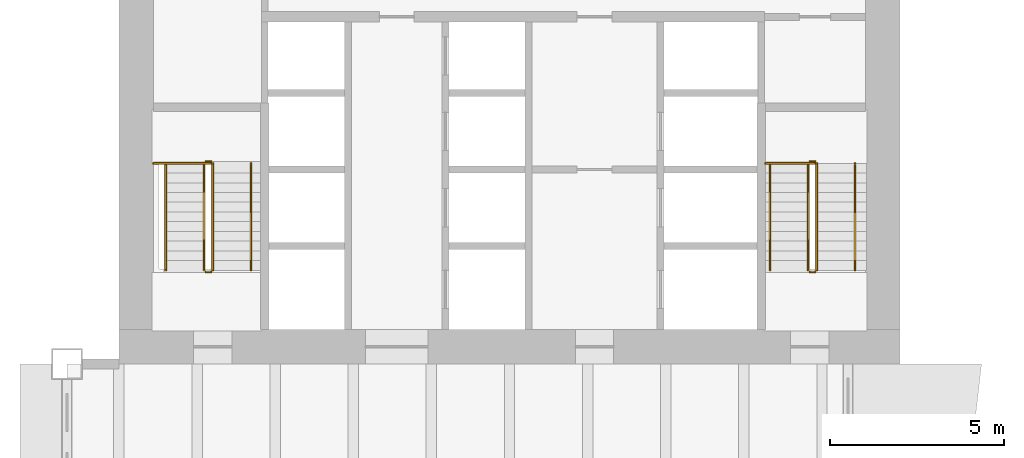
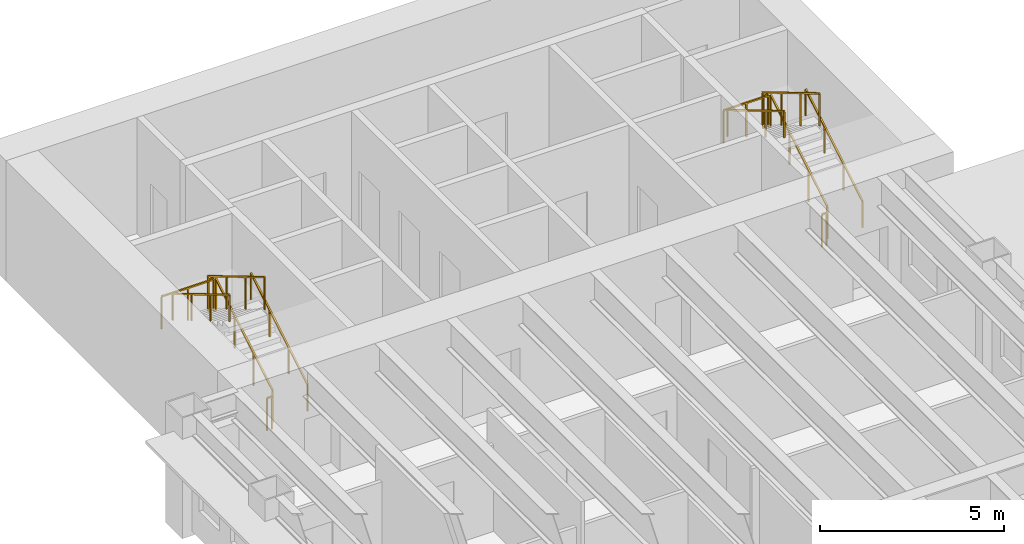
# One storey, part 13 of 13: 14 railings.
"""IFC4 building model written with IfcOpenShell, lengths in metres."""

from ifc_helpers import new_model, si_unit, direction, frame, origin, origin_2d, place, context, subcontext, project, spatial, rectangle, extrude, material, type_object, element, save


model = new_model("IFC4")

# Units and contexts
model_context = context("Model", 3, precision=1e-05, world=origin(), true_north=direction((0.0, 1.0)))
body_context = subcontext(model_context, "Body", "Model", "MODEL_VIEW")
ifc_project = project(units=[si_unit("LENGTHUNIT", "METRE"), si_unit("AREAUNIT", "SQUARE_METRE"), si_unit("VOLUMEUNIT", "CUBIC_METRE"), si_unit("PLANEANGLEUNIT", "RADIAN"), si_unit("MASSUNIT", "GRAM", prefix="KILO")], contexts=[model_context])

# Site, building, storey
site_placement = place(None, origin())
site = spatial("IfcSite", under=ifc_project, at=site_placement, CompositionType="ELEMENT")
building_placement = place(site_placement, origin())
building = spatial("IfcBuilding", under=site, at=building_placement, Name="Sennacour Bend Tower", CompositionType="ELEMENT")
storey_placement = place(building_placement, frame((0.0, 0.0, 139.0)))
storey = spatial("IfcBuildingStorey", under=building, at=storey_placement, Name="L31", CompositionType="ELEMENT", Elevation=139.0)

# Railings
ifc_material = material(Name="Stainless steel", Category="steel")
railing_type_1 = type_object("IfcRailingType", Name="RL-GUARD-1100", PredefinedType="GUARDRAIL", material=ifc_material)
railing_1_placement = place(storey_placement, frame((2.699951171875, 38.699951171875, 0.166748046875)))
element("IfcRailing", 1, at=railing_1_placement, inside=storey, type_object=railing_type_1, Name="L31 SB1 stair guard 1", PredefinedType="GUARDRAIL", context=body_context, shape_type="SweptSolid", body=[
    extrude(rectangle(XDim=0.048095703125, YDim=0.048095703125, at=origin_2d()), frame((0.0, 0.0, 1.076171875), z_axis=(0.0, 0.859308565015, 0.511457515432), x_axis=(-1.0, 0.0, 0.0)), (0.0, 0.0, 1.0), 3.58447265625),
    extrude(rectangle(XDim=0.0419921875, YDim=0.0419921875, at=origin_2d()), origin(), (0.0, 0.0, 1.0), 1.052001953125),
    extrude(rectangle(XDim=0.0419921875, YDim=0.0419921875, at=origin_2d()), frame((0.0, 1.026611328125, 0.611083984375)), (0.0, 0.0, 1.0), 1.052001953125),
    extrude(rectangle(XDim=0.0419921875, YDim=0.0419921875, at=origin_2d()), frame((0.0, 2.053466796875, 1.22216796875)), (0.0, 0.0, 1.0), 1.052001953125),
    extrude(rectangle(XDim=0.0419921875, YDim=0.0419921875, at=origin_2d()), frame((0.0, 3.080078125, 1.833251953125)), (0.0, 0.0, 1.0), 1.052001953125),
])
railing_2_placement = place(storey_placement, frame((2.64990234375, 41.830078125, 2.0)))
element("IfcRailing", 2, at=railing_2_placement, inside=storey, type_object=railing_type_1, Name="L31 SB1 stair guard 2", PredefinedType="GUARDRAIL", context=body_context, shape_type="SweptSolid", body=[
    extrude(rectangle(XDim=0.048095703125, YDim=0.048095703125, at=origin_2d()), frame((0.0, 0.0, 1.076171875), z_axis=(-1.0, 0.0, 0.0), x_axis=(0.0, -1.0, 0.0)), (0.0, 0.0, 1.0), 0.14990234375),
    extrude(rectangle(XDim=0.0419921875, YDim=0.0419921875, at=origin_2d()), origin(), (0.0, 0.0, 1.0), 1.052001953125),
    extrude(rectangle(XDim=0.0419921875, YDim=0.0419921875, at=origin_2d()), frame((-0.14990234375, 0.0, 0.0)), (0.0, 0.0, 1.0), 1.052001953125),
])
railing_3_placement = place(storey_placement, frame((2.449951171875, 41.780029296875, 2.166748046875)))
element("IfcRailing", 3, at=railing_3_placement, inside=storey, type_object=railing_type_1, Name="L31 SB1 stair guard 4", PredefinedType="GUARDRAIL", context=body_context, shape_type="SweptSolid", body=[
    extrude(rectangle(XDim=0.048095703125, YDim=0.048095703125, at=origin_2d()), frame((0.0, 0.0, 1.076171875), z_axis=(0.0, -0.859308565015, 0.511457515432), x_axis=(1.0, 0.0, 0.0)), (0.0, 0.0, 1.0), 3.58447265625),
    extrude(rectangle(XDim=0.0419921875, YDim=0.0419921875, at=origin_2d()), origin(), (0.0, 0.0, 1.0), 1.052001953125),
    extrude(rectangle(XDim=0.0419921875, YDim=0.0419921875, at=origin_2d()), frame((0.0, -1.026611328125, 0.611083984375)), (0.0, 0.0, 1.0), 1.052001953125),
    extrude(rectangle(XDim=0.0419921875, YDim=0.0419921875, at=origin_2d()), frame((0.0, -2.053466796875, 1.22216796875)), (0.0, 0.0, 1.0), 1.052001953125),
    extrude(rectangle(XDim=0.0419921875, YDim=0.0419921875, at=origin_2d()), frame((0.0, -3.080078125, 1.833251953125)), (0.0, 0.0, 1.0), 1.052001953125),
])
railing_4_placement = place(storey_placement, frame((2.64990234375, 38.64990234375, 0.0)))
element("IfcRailing", 4, at=railing_4_placement, inside=storey, type_object=railing_type_1, Name="L31 SB1 stair guard 5", PredefinedType="GUARDRAIL", context=body_context, shape_type="SweptSolid", body=[
    extrude(rectangle(XDim=0.048095703125, YDim=0.048095703125, at=origin_2d()), frame((0.0, 0.0, 1.076171875), z_axis=(-1.0, 0.0, 0.0), x_axis=(0.0, -1.0, 0.0)), (0.0, 0.0, 1.0), 0.14990234375),
    extrude(rectangle(XDim=0.0419921875, YDim=0.0419921875, at=origin_2d()), origin(), (0.0, 0.0, 1.0), 1.052001953125),
    extrude(rectangle(XDim=0.0419921875, YDim=0.0419921875, at=origin_2d()), frame((-0.14990234375, 0.0, 0.0)), (0.0, 0.0, 1.0), 1.052001953125),
])
railing_5_placement = place(storey_placement, frame((2.64990234375, 41.780029296875, 2.0)))
element("IfcRailing", 5, at=railing_5_placement, inside=storey, type_object=railing_type_1, Name="L31 SB1 landing edge guard 56", PredefinedType="GUARDRAIL", context=body_context, shape_type="SweptSolid", body=[
    extrude(rectangle(XDim=0.048095703125, YDim=0.048095703125, at=origin_2d()), frame((0.0, 0.0, 1.076171875), z_axis=(-1.0, 0.0, 0.0), x_axis=(0.0, -1.0, 0.0)), (0.0, 0.0, 1.0), 1.64990234375),
    extrude(rectangle(XDim=0.0419921875, YDim=0.0419921875, at=origin_2d()), origin(), (0.0, 0.0, 1.0), 1.052001953125),
    extrude(rectangle(XDim=0.0419921875, YDim=0.0419921875, at=origin_2d()), frame((-0.824951171875, 0.0, 0.0)), (0.0, 0.0, 1.0), 1.052001953125),
    extrude(rectangle(XDim=0.0419921875, YDim=0.0419921875, at=origin_2d()), frame((-1.64990234375, 0.0, 0.0)), (0.0, 0.0, 1.0), 1.052001953125),
])
railing_6_placement = place(storey_placement, frame((20.10009765625, 38.699951171875, 0.166748046875)))
element("IfcRailing", 6, at=railing_6_placement, inside=storey, type_object=railing_type_1, Name="L31 SB2 stair guard 1", PredefinedType="GUARDRAIL", context=body_context, shape_type="SweptSolid", body=[
    extrude(rectangle(XDim=0.048095703125, YDim=0.048095703125, at=origin_2d()), frame((0.0, 0.0, 1.076171875), z_axis=(0.0, 0.859308565015, 0.511457515432), x_axis=(-1.0, 0.0, 0.0)), (0.0, 0.0, 1.0), 3.58447265625),
    extrude(rectangle(XDim=0.0419921875, YDim=0.0419921875, at=origin_2d()), origin(), (0.0, 0.0, 1.0), 1.052001953125),
    extrude(rectangle(XDim=0.0419921875, YDim=0.0419921875, at=origin_2d()), frame((0.0, 1.026611328125, 0.611083984375)), (0.0, 0.0, 1.0), 1.052001953125),
    extrude(rectangle(XDim=0.0419921875, YDim=0.0419921875, at=origin_2d()), frame((0.0, 2.053466796875, 1.22216796875)), (0.0, 0.0, 1.0), 1.052001953125),
    extrude(rectangle(XDim=0.0419921875, YDim=0.0419921875, at=origin_2d()), frame((0.0, 3.080078125, 1.833251953125)), (0.0, 0.0, 1.0), 1.052001953125),
])
railing_7_placement = place(storey_placement, frame((20.050048828125, 41.830078125, 2.0)))
element("IfcRailing", 7, at=railing_7_placement, inside=storey, type_object=railing_type_1, Name="L31 SB2 stair guard 2", PredefinedType="GUARDRAIL", context=body_context, shape_type="SweptSolid", body=[
    extrude(rectangle(XDim=0.048095703125, YDim=0.048095703125, at=origin_2d()), frame((0.0, 0.0, 1.076171875), z_axis=(-1.0, 0.0, 0.0), x_axis=(0.0, -1.0, 0.0)), (0.0, 0.0, 1.0), 0.150146484375),
    extrude(rectangle(XDim=0.0419921875, YDim=0.0419921875, at=origin_2d()), origin(), (0.0, 0.0, 1.0), 1.052001953125),
    extrude(rectangle(XDim=0.0419921875, YDim=0.0419921875, at=origin_2d()), frame((-0.150146484375, 0.0, 0.0)), (0.0, 0.0, 1.0), 1.052001953125),
])
railing_8_placement = place(storey_placement, frame((19.85009765625, 41.780029296875, 2.166748046875)))
element("IfcRailing", 8, at=railing_8_placement, inside=storey, type_object=railing_type_1, Name="L31 SB2 stair guard 4", PredefinedType="GUARDRAIL", context=body_context, shape_type="SweptSolid", body=[
    extrude(rectangle(XDim=0.048095703125, YDim=0.048095703125, at=origin_2d()), frame((0.0, 0.0, 1.076171875), z_axis=(0.0, -0.859308565015, 0.511457515432), x_axis=(1.0, 0.0, 0.0)), (0.0, 0.0, 1.0), 3.58447265625),
    extrude(rectangle(XDim=0.0419921875, YDim=0.0419921875, at=origin_2d()), origin(), (0.0, 0.0, 1.0), 1.052001953125),
    extrude(rectangle(XDim=0.0419921875, YDim=0.0419921875, at=origin_2d()), frame((0.0, -1.026611328125, 0.611083984375)), (0.0, 0.0, 1.0), 1.052001953125),
    extrude(rectangle(XDim=0.0419921875, YDim=0.0419921875, at=origin_2d()), frame((0.0, -2.053466796875, 1.22216796875)), (0.0, 0.0, 1.0), 1.052001953125),
    extrude(rectangle(XDim=0.0419921875, YDim=0.0419921875, at=origin_2d()), frame((0.0, -3.080078125, 1.833251953125)), (0.0, 0.0, 1.0), 1.052001953125),
])
railing_9_placement = place(storey_placement, frame((20.050048828125, 38.64990234375, 0.0)))
element("IfcRailing", 9, at=railing_9_placement, inside=storey, type_object=railing_type_1, Name="L31 SB2 stair guard 5", PredefinedType="GUARDRAIL", context=body_context, shape_type="SweptSolid", body=[
    extrude(rectangle(XDim=0.048095703125, YDim=0.048095703125, at=origin_2d()), frame((0.0, 0.0, 1.076171875), z_axis=(-1.0, 0.0, 0.0), x_axis=(0.0, -1.0, 0.0)), (0.0, 0.0, 1.0), 0.150146484375),
    extrude(rectangle(XDim=0.0419921875, YDim=0.0419921875, at=origin_2d()), origin(), (0.0, 0.0, 1.0), 1.052001953125),
    extrude(rectangle(XDim=0.0419921875, YDim=0.0419921875, at=origin_2d()), frame((-0.150146484375, 0.0, 0.0)), (0.0, 0.0, 1.0), 1.052001953125),
])
railing_10_placement = place(storey_placement, frame((20.050048828125, 41.780029296875, 2.0)))
element("IfcRailing", 10, at=railing_10_placement, inside=storey, type_object=railing_type_1, Name="L31 SB2 landing edge guard 46", PredefinedType="GUARDRAIL", context=body_context, shape_type="SweptSolid", body=[
    extrude(rectangle(XDim=0.048095703125, YDim=0.048095703125, at=origin_2d()), frame((0.0, 0.0, 1.076171875), z_axis=(-1.0, 0.0, 0.0), x_axis=(0.0, -1.0, 0.0)), (0.0, 0.0, 1.0), 1.425048828125),
    extrude(rectangle(XDim=0.0419921875, YDim=0.0419921875, at=origin_2d()), origin(), (0.0, 0.0, 1.0), 1.052001953125),
    extrude(rectangle(XDim=0.0419921875, YDim=0.0419921875, at=origin_2d()), frame((-0.71240234375, 0.0, 0.0)), (0.0, 0.0, 1.0), 1.052001953125),
    extrude(rectangle(XDim=0.0419921875, YDim=0.0419921875, at=origin_2d()), frame((-1.425048828125, 0.0, 0.0)), (0.0, 0.0, 1.0), 1.052001953125),
])
railing_type_2 = type_object("IfcRailingType", Name="RL-HANDRAIL-900", PredefinedType="HANDRAIL", material=ifc_material)
railing_11_placement = place(storey_placement, frame((3.800048828125, 38.699951171875, 0.166748046875)))
element("IfcRailing", 11, at=railing_11_placement, inside=storey, type_object=railing_type_2, Name="L31 SB1 stair handrail 1", PredefinedType="HANDRAIL", context=body_context, shape_type="SweptSolid", body=[
    extrude(rectangle(XDim=0.048095703125, YDim=0.048095703125, at=origin_2d()), frame((0.0, 0.0, 0.8759765625), z_axis=(0.0, 0.859308565015, 0.511457515432), x_axis=(-1.0, 0.0, 0.0)), (0.0, 0.0, 1.0), 3.58447265625),
    extrude(rectangle(XDim=0.0419921875, YDim=0.0419921875, at=origin_2d()), origin(), (0.0, 0.0, 1.0), 0.851806640625),
    extrude(rectangle(XDim=0.0419921875, YDim=0.0419921875, at=origin_2d()), frame((0.0, 1.026611328125, 0.611083984375)), (0.0, 0.0, 1.0), 0.851806640625),
    extrude(rectangle(XDim=0.0419921875, YDim=0.0419921875, at=origin_2d()), frame((0.0, 2.053466796875, 1.22216796875)), (0.0, 0.0, 1.0), 0.851806640625),
    extrude(rectangle(XDim=0.0419921875, YDim=0.0419921875, at=origin_2d()), frame((0.0, 3.080078125, 1.833251953125)), (0.0, 0.0, 1.0), 0.851806640625),
])
railing_12_placement = place(storey_placement, frame((1.35009765625, 41.780029296875, 2.166748046875)))
element("IfcRailing", 12, at=railing_12_placement, inside=storey, type_object=railing_type_2, Name="L31 SB1 stair handrail 2", PredefinedType="HANDRAIL", context=body_context, shape_type="SweptSolid", body=[
    extrude(rectangle(XDim=0.048095703125, YDim=0.048095703125, at=origin_2d()), frame((0.0, 0.0, 0.8759765625), z_axis=(0.0, -0.859308565015, 0.511457515432), x_axis=(1.0, 0.0, 0.0)), (0.0, 0.0, 1.0), 3.58447265625),
    extrude(rectangle(XDim=0.0419921875, YDim=0.0419921875, at=origin_2d()), origin(), (0.0, 0.0, 1.0), 0.851806640625),
    extrude(rectangle(XDim=0.0419921875, YDim=0.0419921875, at=origin_2d()), frame((0.0, -1.026611328125, 0.611083984375)), (0.0, 0.0, 1.0), 0.851806640625),
    extrude(rectangle(XDim=0.0419921875, YDim=0.0419921875, at=origin_2d()), frame((0.0, -2.053466796875, 1.22216796875)), (0.0, 0.0, 1.0), 0.851806640625),
    extrude(rectangle(XDim=0.0419921875, YDim=0.0419921875, at=origin_2d()), frame((0.0, -3.080078125, 1.833251953125)), (0.0, 0.0, 1.0), 0.851806640625),
])
railing_13_placement = place(storey_placement, frame((21.199951171875, 38.699951171875, 0.166748046875)))
element("IfcRailing", 13, at=railing_13_placement, inside=storey, type_object=railing_type_2, Name="L31 SB2 stair handrail 1", PredefinedType="HANDRAIL", context=body_context, shape_type="SweptSolid", body=[
    extrude(rectangle(XDim=0.048095703125, YDim=0.048095703125, at=origin_2d()), frame((0.0, 0.0, 0.8759765625), z_axis=(0.0, 0.859308565015, 0.511457515432), x_axis=(-1.0, 0.0, 0.0)), (0.0, 0.0, 1.0), 3.58447265625),
    extrude(rectangle(XDim=0.0419921875, YDim=0.0419921875, at=origin_2d()), origin(), (0.0, 0.0, 1.0), 0.851806640625),
    extrude(rectangle(XDim=0.0419921875, YDim=0.0419921875, at=origin_2d()), frame((0.0, 1.026611328125, 0.611083984375)), (0.0, 0.0, 1.0), 0.851806640625),
    extrude(rectangle(XDim=0.0419921875, YDim=0.0419921875, at=origin_2d()), frame((0.0, 2.053466796875, 1.22216796875)), (0.0, 0.0, 1.0), 0.851806640625),
    extrude(rectangle(XDim=0.0419921875, YDim=0.0419921875, at=origin_2d()), frame((0.0, 3.080078125, 1.833251953125)), (0.0, 0.0, 1.0), 0.851806640625),
])
railing_14_placement = place(storey_placement, frame((18.75, 41.780029296875, 2.166748046875)))
element("IfcRailing", 14, at=railing_14_placement, inside=storey, type_object=railing_type_2, Name="L31 SB2 stair handrail 2", PredefinedType="HANDRAIL", context=body_context, shape_type="SweptSolid", body=[
    extrude(rectangle(XDim=0.048095703125, YDim=0.048095703125, at=origin_2d()), frame((0.0, 0.0, 0.8759765625), z_axis=(0.0, -0.859308565015, 0.511457515432), x_axis=(1.0, 0.0, 0.0)), (0.0, 0.0, 1.0), 3.58447265625),
    extrude(rectangle(XDim=0.0419921875, YDim=0.0419921875, at=origin_2d()), origin(), (0.0, 0.0, 1.0), 0.851806640625),
    extrude(rectangle(XDim=0.0419921875, YDim=0.0419921875, at=origin_2d()), frame((0.0, -1.026611328125, 0.611083984375)), (0.0, 0.0, 1.0), 0.851806640625),
    extrude(rectangle(XDim=0.0419921875, YDim=0.0419921875, at=origin_2d()), frame((0.0, -2.053466796875, 1.22216796875)), (0.0, 0.0, 1.0), 0.851806640625),
    extrude(rectangle(XDim=0.0419921875, YDim=0.0419921875, at=origin_2d()), frame((0.0, -3.080078125, 1.833251953125)), (0.0, 0.0, 1.0), 0.851806640625),
])

save(model, "model.ifc")
